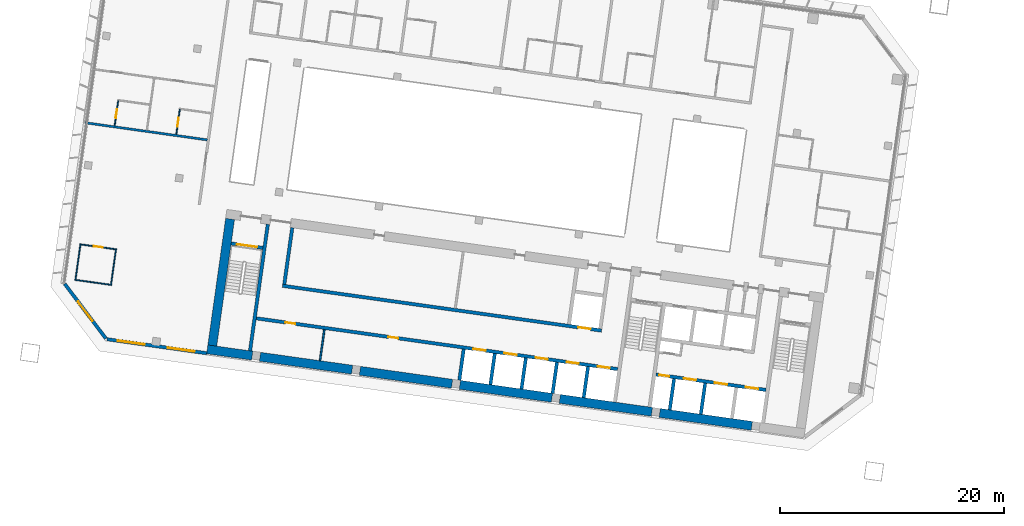
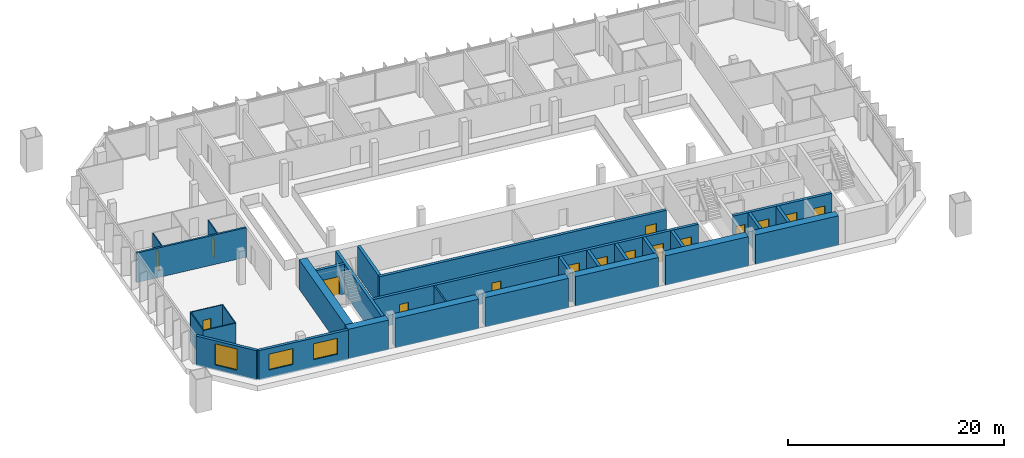
# One storey, part 14 of 24: 30 walls, 16 doors, 3 windows, 19 openings.
"""IFC4 building model written with IfcOpenShell, lengths in metres."""

from ifc_helpers import new_model, si_unit, direction, frame, frame_2d, origin, place, context, subcontext, project, spatial, rectangle, extrude, material, layer, layer_set, type_object, element, fill, save


model = new_model("IFC4")

# Units and contexts
model_context = context("Model", 3, precision=1e-05, world=origin(), true_north=direction((0.0, 1.0)))
body_context = subcontext(model_context, "Body", "Model", "MODEL_VIEW")
ifc_project = project(units=[si_unit("LENGTHUNIT", "METRE"), si_unit("AREAUNIT", "SQUARE_METRE"), si_unit("VOLUMEUNIT", "CUBIC_METRE"), si_unit("PLANEANGLEUNIT", "RADIAN"), si_unit("MASSUNIT", "GRAM", prefix="KILO")], contexts=[model_context])

# Site, building, storey
site_placement = place(None, origin())
site = spatial("IfcSite", under=ifc_project, at=site_placement, CompositionType="ELEMENT")
building_placement = place(site_placement, origin())
building = spatial("IfcBuilding", under=site, at=building_placement, Name="Mirante Cascada Hotel Towers", CompositionType="ELEMENT")
storey_placement = place(building_placement, frame((0.0, 0.0, 132.9)))
storey = spatial("IfcBuildingStorey", under=building, at=storey_placement, Name="L30", CompositionType="ELEMENT", Elevation=132.9)

# Walls
ifc_material_1 = material(Name="Fire-rated plasterboard on metal studs")
ifc_layer_1 = layer(ifc_material_1, 0.2)
ifc_layer_set_1 = layer_set([ifc_layer_1], Name="Compartment wall 200 EI 120")
wall_type_1 = type_object("IfcWallType", Name="Compartment wall 200 EI 120", PredefinedType="PARTITIONING", material=ifc_layer_set_1)
wall_1_placement = place(storey_placement, frame((-90.4064, 6.4896, 0.0), z_axis=(0.0, 0.0, 1.0), x_axis=(-0.990268, 0.1391733, 0.0)))
element("IfcWall", 1, at=wall_1_placement, inside=storey, type_object=wall_type_1, Name="Wall 1-L30-05", PredefinedType="PARTITIONING", context=body_context, shape_type="SweptSolid", body=[
    extrude(rectangle(XDim=11.0, YDim=0.2, at=frame_2d((5.5, 0.0))), origin(), (0.0, 0.0, 1.0), 3.35),
])
ifc_material_2 = material(Name="Masonry block", Category="masonry")
ifc_layer_2 = layer(ifc_material_2, 0.15)
ifc_layer_set_2 = layer_set([ifc_layer_2], Name="Core room partition 150 block EI 30")
wall_type_2 = type_object("IfcWallType", Name="Core room partition 150 block EI 30", PredefinedType="PARTITIONING", material=ifc_layer_set_2)
wall_2_placement = place(storey_placement, frame((-80.349, -13.2018, 0.0), z_axis=(0.0, 0.0, 1.0), x_axis=(0.139176, 0.9902677, 0.0)))
element("IfcWall", 2, at=wall_2_placement, inside=storey, type_object=wall_type_2, Name="Core wall partition T1 L30 5", PredefinedType="PARTITIONING", context=body_context, shape_type="SweptSolid", body=[
    extrude(rectangle(XDim=2.8001, YDim=0.15, at=frame_2d((1.4, 0.0))), origin(), (0.0, 0.0, 1.0), 3.35),
])
ifc_material_3 = material(Name="Plasterboard on metal studs")
ifc_layer_3 = layer(ifc_material_3, 0.1)
ifc_layer_set_3 = layer_set([ifc_layer_3], Name="Partition 100")
wall_type_3 = type_object("IfcWallType", Name="Partition 100", PredefinedType="PARTITIONING", material=ifc_layer_set_3)
wall_3_placement = place(storey_placement, frame((-98.9401, -6.4487, 0.0), z_axis=(0.0, 0.0, 1.0), x_axis=(-0.9902664, 0.1391852, 0.0)))
element("IfcWall", 3, at=wall_3_placement, inside=storey, type_object=wall_type_3, Name="Wall 1-L30-01", PredefinedType="PARTITIONING", context=body_context, shape_type="SweptSolid", body=[
    extrude(rectangle(XDim=3.2999, YDim=0.1, at=frame_2d((1.65, 0.0))), origin(), (0.0, 0.0, 1.0), 3.35),
])

# Wall, opening, door
wall_4_placement = place(storey_placement, frame((-101.7626, -2.8206, 0.0), z_axis=(0.0, 0.0, 1.0), x_axis=(0.9902711, -0.1391513, 0.0)))
wall_4 = element("IfcWall", 4, at=wall_4_placement, inside=storey, type_object=wall_type_3, Name="Wall 1-L30-02", PredefinedType="PARTITIONING", context=body_context, shape_type="SweptSolid", body=[
    extrude(rectangle(XDim=3.3, YDim=0.1, at=frame_2d((1.65, 0.0))), origin(), (0.0, 0.0, 1.0), 3.35),
])
opening_1_placement = place(wall_4_placement, frame((1.25, 0.0, 0.0)))
opening_1 = element("IfcOpeningElement", 5, at=opening_1_placement, cuts=wall_4, Name="Opening D1-L30-01", PredefinedType="OPENING", context=body_context, shape_type="SweptSolid", body=[
    extrude(rectangle(XDim=0.8, YDim=2.1, at=frame_2d((0.4, 1.05))), frame((0.0, 0.05, 0.0), z_axis=(0.0, -1.0, 0.0), x_axis=(1.0, 0.0, 0.0)), (0.0, 0.0, 1.0), 0.1),
])
ifc_material_4 = material(Name="Timber door leaf", Category="wood")
door_type_1 = type_object("IfcDoorType", Name="Bathroom door DG4 800x2100", OperationType="SINGLE_SWING_LEFT", PredefinedType="DOOR", material=ifc_material_4)
door_1_placement = place(opening_1_placement, origin())
door_1 = element("IfcDoor", 6, at=door_1_placement, inside=storey, type_object=door_type_1, Name="Door D1-L30-01", OperationType="SINGLE_SWING_LEFT", OverallHeight=2.1, OverallWidth=0.8, PredefinedType="DOOR", context=body_context, shape_type="SweptSolid", body=[
    extrude(rectangle(XDim=0.8, YDim=2.1, at=frame_2d((0.4, 1.05))), frame((0.0, 0.025, 0.0), z_axis=(0.0, -1.0, 0.0), x_axis=(1.0, 0.0, 0.0)), (0.0, 0.0, 1.0), 0.05),
])
fill(opening_1, door_1)

wall_5_placement = place(storey_placement, frame((-93.1652, 6.9783, 0.0), z_axis=(0.0, 0.0, 1.0), x_axis=(0.1391997, 0.9902643, 0.0)))
wall_5 = element("IfcWall", 7, at=wall_5_placement, inside=storey, type_object=wall_type_3, Name="Wall 1-L30-47", PredefinedType="PARTITIONING", context=body_context, shape_type="SweptSolid", body=[
    extrude(rectangle(XDim=2.25, YDim=0.1, at=frame_2d((1.125, 0.0))), origin(), (0.0, 0.0, 1.0), 3.35),
])
opening_2_placement = place(wall_5_placement, frame((0.7, 0.0, 0.0)))
opening_2 = element("IfcOpeningElement", 8, at=opening_2_placement, cuts=wall_5, Name="Opening D1-L30-29", PredefinedType="OPENING", context=body_context, shape_type="SweptSolid", body=[
    extrude(rectangle(XDim=0.8, YDim=2.1, at=frame_2d((0.4, 1.05))), frame((0.0, 0.05, 0.0), z_axis=(0.0, -1.0, 0.0), x_axis=(1.0, 0.0, 0.0)), (0.0, 0.0, 1.0), 0.1),
])
door_2_placement = place(opening_2_placement, frame((0.8, 0.0, 0.0), z_axis=(0.0, 0.0, 1.0), x_axis=(-1.0, 0.0, 0.0)))
door_2 = element("IfcDoor", 9, at=door_2_placement, inside=storey, type_object=door_type_1, Name="Door D1-L30-29", OperationType="SINGLE_SWING_RIGHT", OverallHeight=2.1, OverallWidth=0.8, PredefinedType="DOOR", context=body_context, shape_type="SweptSolid", body=[
    extrude(rectangle(XDim=0.8, YDim=2.1, at=frame_2d((0.4, 1.05))), frame((0.0, 0.025, 0.0), z_axis=(0.0, -1.0, 0.0), x_axis=(1.0, 0.0, 0.0)), (0.0, 0.0, 1.0), 0.05),
])
fill(opening_2, door_2)

# Wall
wall_6_placement = place(storey_placement, frame((-98.5512, -3.3224, 0.0), z_axis=(0.0, 0.0, 1.0), x_axis=(-0.1391629, -0.9902695, 0.0)))
element("IfcWall", 10, at=wall_6_placement, inside=storey, type_object=wall_type_3, Name="Wall 1-L30-50", PredefinedType="PARTITIONING", context=body_context, shape_type="SweptSolid", body=[
    extrude(rectangle(XDim=3.1, YDim=0.1, at=frame_2d((1.55, 0.0))), origin(), (0.0, 0.0, 1.0), 3.35),
])

# Wall, opening, door
wall_7_placement = place(storey_placement, frame((-98.6612, 7.7507, 0.0), z_axis=(0.0, 0.0, 1.0), x_axis=(0.1391997, 0.9902643, 0.0)))
wall_7 = element("IfcWall", 11, at=wall_7_placement, inside=storey, type_object=wall_type_3, Name="Wall 1-L30-51", PredefinedType="PARTITIONING", context=body_context, shape_type="SweptSolid", body=[
    extrude(rectangle(XDim=2.25, YDim=0.1, at=frame_2d((1.125, 0.0))), origin(), (0.0, 0.0, 1.0), 3.35),
])
opening_3_placement = place(wall_7_placement, frame((0.7, 0.0, 0.0)))
opening_3 = element("IfcOpeningElement", 12, at=opening_3_placement, cuts=wall_7, Name="Opening D1-L30-31", PredefinedType="OPENING", context=body_context, shape_type="SweptSolid", body=[
    extrude(rectangle(XDim=0.8, YDim=2.1, at=frame_2d((0.4, 1.05))), frame((0.0, 0.05, 0.0), z_axis=(0.0, -1.0, 0.0), x_axis=(1.0, 0.0, 0.0)), (0.0, 0.0, 1.0), 0.1),
])
door_3_placement = place(opening_3_placement, frame((0.8, 0.0, 0.0), z_axis=(0.0, 0.0, 1.0), x_axis=(-1.0, 0.0, 0.0)))
door_3 = element("IfcDoor", 13, at=door_3_placement, inside=storey, type_object=door_type_1, Name="Door D1-L30-31", OperationType="SINGLE_SWING_RIGHT", OverallHeight=2.1, OverallWidth=0.8, PredefinedType="DOOR", context=body_context, shape_type="SweptSolid", body=[
    extrude(rectangle(XDim=0.8, YDim=2.1, at=frame_2d((0.4, 1.05))), frame((0.0, 0.025, 0.0), z_axis=(0.0, -1.0, 0.0), x_axis=(1.0, 0.0, 0.0)), (0.0, 0.0, 1.0), 0.05),
])
fill(opening_3, door_3)

# Wall
wall_8_placement = place(storey_placement, frame((-101.72, -2.877, 0.0), z_axis=(0.0, 0.0, 1.0), x_axis=(-0.1391901, -0.9902657, 0.0)))
element("IfcWall", 14, at=wall_8_placement, inside=storey, type_object=wall_type_3, Name="Wall 1-L30-52", PredefinedType="PARTITIONING", context=body_context, shape_type="SweptSolid", body=[
    extrude(rectangle(XDim=3.1001, YDim=0.1, at=frame_2d((1.55, 0.0))), origin(), (0.0, 0.0, 1.0), 3.35),
])

# Wall, openings, windows
ifc_material_5 = material(Name="Precast concrete C40/50", Category="concrete")
ifc_layer_4 = layer(ifc_material_5, 0.3)
ifc_layer_set_4 = layer_set([ifc_layer_4], Name="Precast concrete C40/50 cladding wall 300")
wall_type_4 = type_object("IfcWallType", Name="Precast concrete C40/50 cladding wall 300", PredefinedType="STANDARD", material=ifc_layer_set_4)
wall_9_placement = place(storey_placement, frame((-90.4551, -12.5388, 0.0), z_axis=(0.0, 0.0, 1.0), x_axis=(-0.9902678, 0.1391749, 0.0)))
wall_9 = element("IfcWall", 15, at=wall_9_placement, inside=storey, type_object=wall_type_4, Name="Rear cladding wall T1 L30 1", PredefinedType="STANDARD", context=body_context, shape_type="SweptSolid", body=[
    extrude(rectangle(XDim=8.9758, YDim=0.3, at=frame_2d((4.4879, 0.0))), origin(), (0.0, 0.0, 1.0), 3.35),
])
opening_4_placement = place(wall_9_placement, frame((1.1012, 0.0, 0.9)))
opening_4 = element("IfcOpeningElement", 16, at=opening_4_placement, cuts=wall_9, Name="Opening W1-30-01", PredefinedType="OPENING", context=body_context, shape_type="SweptSolid", body=[
    extrude(rectangle(XDim=2.4, YDim=1.8, at=frame_2d((1.2, 0.9))), frame((0.0, 0.15, 0.0), z_axis=(0.0, -1.0, 0.0), x_axis=(1.0, 0.0, 0.0)), (0.0, 0.0, 1.0), 0.3),
])
opening_5_placement = place(wall_9_placement, frame((5.5923, 0.0, 0.9)))
opening_5 = element("IfcOpeningElement", 17, at=opening_5_placement, cuts=wall_9, Name="Opening W1-30-02", PredefinedType="OPENING", context=body_context, shape_type="SweptSolid", body=[
    extrude(rectangle(XDim=2.4, YDim=1.8, at=frame_2d((1.2, 0.9))), frame((0.0, 0.15, 0.0), z_axis=(0.0, -1.0, 0.0), x_axis=(1.0, 0.0, 0.0)), (0.0, 0.0, 1.0), 0.3),
])
ifc_material_6 = material(Name="Aluminium frame with clear double glazing", Category="aluminium")
window_type_1 = type_object("IfcWindowType", Name="Punched window 2400x1800", PartitioningType="DOUBLE_PANEL_VERTICAL", PredefinedType="WINDOW", material=ifc_material_6)
window_1_placement = place(opening_4_placement, origin())
window_1 = element("IfcWindow", 18, at=window_1_placement, inside=storey, type_object=window_type_1, Name="Window W1-30-01", OverallHeight=1.8, OverallWidth=2.4, PartitioningType="SINGLE_PANEL", PredefinedType="WINDOW", context=body_context, shape_type="SweptSolid", body=[
    extrude(rectangle(XDim=2.4, YDim=1.8, at=frame_2d((1.2, 0.9))), frame((0.0, 0.03, 0.0), z_axis=(0.0, -1.0, 0.0), x_axis=(1.0, 0.0, 0.0)), (0.0, 0.0, 1.0), 0.06),
])
fill(opening_4, window_1)
window_2_placement = place(opening_5_placement, origin())
window_2 = element("IfcWindow", 19, at=window_2_placement, inside=storey, type_object=window_type_1, Name="Window W1-30-02", OverallHeight=1.8, OverallWidth=2.4, PartitioningType="SINGLE_PANEL", PredefinedType="WINDOW", context=body_context, shape_type="SweptSolid", body=[
    extrude(rectangle(XDim=2.4, YDim=1.8, at=frame_2d((1.2, 0.9))), frame((0.0, 0.03, 0.0), z_axis=(0.0, -1.0, 0.0), x_axis=(1.0, 0.0, 0.0)), (0.0, 0.0, 1.0), 0.06),
])
fill(opening_5, window_2)

# Wall, opening, window
wall_10_placement = place(storey_placement, frame((-99.4424, -11.2313, 0.0), z_axis=(0.0, 0.0, 1.0), x_axis=(-0.6018194, 0.7986322, 0.0)))
wall_10 = element("IfcWall", 20, at=wall_10_placement, inside=storey, type_object=wall_type_4, Name="Corner cladding wall T1 L30 rear outer", PredefinedType="STANDARD", context=body_context, shape_type="SweptSolid", body=[
    extrude(rectangle(XDim=6.1155, YDim=0.3, at=frame_2d((3.0578, 0.0))), origin(), (0.0, 0.0, 1.0), 3.35),
])
opening_6_placement = place(wall_10_placement, frame((1.9576, 0.0, 0.6)))
opening_6 = element("IfcOpeningElement", 21, at=opening_6_placement, cuts=wall_10, Name="Opening W1-30-03", PredefinedType="OPENING", context=body_context, shape_type="SweptSolid", body=[
    extrude(rectangle(XDim=2.2, YDim=2.4, at=frame_2d((1.1, 1.2))), frame((0.0, 0.15, 0.0), z_axis=(0.0, -1.0, 0.0), x_axis=(1.0, 0.0, 0.0)), (0.0, 0.0, 1.0), 0.3),
])
ifc_material_7 = material(Name="Aluminium frame with clear double glazing", Category="aluminium")
window_type_2 = type_object("IfcWindowType", Name="Corner suite window 2200x2400", PartitioningType="DOUBLE_PANEL_VERTICAL", PredefinedType="WINDOW", material=ifc_material_7)
window_3_placement = place(opening_6_placement, origin())
window_3 = element("IfcWindow", 22, at=window_3_placement, inside=storey, type_object=window_type_2, Name="Window W1-30-03", OverallHeight=2.4, OverallWidth=2.2, PartitioningType="SINGLE_PANEL", PredefinedType="WINDOW", context=body_context, shape_type="SweptSolid", body=[
    extrude(rectangle(XDim=2.2, YDim=2.4, at=frame_2d((1.1, 1.2))), frame((0.0, 0.03, 0.0), z_axis=(0.0, -1.0, 0.0), x_axis=(1.0, 0.0, 0.0)), (0.0, 0.0, 1.0), 0.06),
])
fill(opening_6, window_3)

# Wall
ifc_material_8 = material(Name="Concrete C50/60", Category="concrete")
ifc_layer_5 = layer(ifc_material_8, 0.3)
ifc_layer_set_5 = layer_set([ifc_layer_5], Name="RC core wall 300 C50/60")
wall_type_5 = type_object("IfcWallType", Name="RC core wall 300 C50/60", PredefinedType="SHEAR", material=ifc_layer_set_5)
wall_11_placement = place(storey_placement, frame((-86.5877, -12.325, 0.0), z_axis=(0.0, 0.0, 1.0), x_axis=(0.1391749, 0.9902678, 0.0)))
element("IfcWall", 23, at=wall_11_placement, inside=storey, type_object=wall_type_5, Name="Core wall T1:L30:8", PredefinedType="SHEAR", context=body_context, shape_type="SweptSolid", body=[
    extrude(rectangle(XDim=11.4, YDim=0.3, at=frame_2d((5.7, 0.0))), origin(), (0.0, 0.0, 1.0), 3.35),
])

# Wall, opening, door
wall_12_placement = place(storey_placement, frame((-85.4489, -3.1441, 0.0), z_axis=(0.0, 0.0, 1.0), x_axis=(-0.9902697, 0.1391613, 0.0)))
wall_12 = element("IfcWall", 24, at=wall_12_placement, inside=storey, type_object=wall_type_5, Name="Core wall T1:L30:11", PredefinedType="SHEAR", context=body_context, shape_type="SweptSolid", body=[
    extrude(rectangle(XDim=2.8499, YDim=0.3, at=frame_2d((1.425, 0.0))), origin(), (0.0, 0.0, 1.0), 3.35),
])
opening_7_placement = place(wall_12_placement, frame((0.525, 0.0, 0.0)))
opening_7 = element("IfcOpeningElement", 25, at=opening_7_placement, cuts=wall_12, Name="Opening D1-30-C17", PredefinedType="OPENING", context=body_context, shape_type="SweptSolid", body=[
    extrude(rectangle(XDim=1.8, YDim=2.1, at=frame_2d((0.9, 1.05))), frame((0.0, 0.15, 0.0), z_axis=(0.0, -1.0, 0.0), x_axis=(1.0, 0.0, 0.0)), (0.0, 0.0, 1.0), 0.3),
])
ifc_material_9 = material(Name="Hollow metal fire door leaf")
door_type_2 = type_object("IfcDoorType", Name="Double fire door 1800x2100 FD60", OperationType="DOUBLE_DOOR_SINGLE_SWING", PredefinedType="DOOR", material=ifc_material_9)
door_4_placement = place(opening_7_placement, origin())
door_4 = element("IfcDoor", 26, at=door_4_placement, inside=storey, type_object=door_type_2, Name="Stair door T1 L30 17", OperationType="DOUBLE_DOOR_SINGLE_SWING", OverallHeight=2.1, OverallWidth=1.8, PredefinedType="DOOR", context=body_context, shape_type="SweptSolid", body=[
    extrude(rectangle(XDim=0.895, YDim=2.1, at=frame_2d((0.4475, 1.05))), frame((0.0, 0.025, 0.0), z_axis=(0.0, -1.0, 0.0), x_axis=(1.0, 0.0, 0.0)), (0.0, 0.0, 1.0), 0.05),
    extrude(rectangle(XDim=0.895, YDim=2.1, at=frame_2d((1.3525, 1.05))), frame((0.0, 0.025, 0.0), z_axis=(0.0, -1.0, 0.0), x_axis=(1.0, 0.0, 0.0)), (0.0, 0.0, 1.0), 0.05),
])
fill(opening_7, door_4)

# Wall, openings, doors
wall_13_placement = place(storey_placement, frame((-40.5753, -15.8126, 0.0), z_axis=(0.0, 0.0, 1.0), x_axis=(-0.9902682, 0.1391725, 0.0)))
wall_13 = element("IfcWall", 27, at=wall_13_placement, inside=storey, type_object=wall_type_5, Name="Core wall T1:L30:12", PredefinedType="SHEAR", context=body_context, shape_type="SweptSolid", body=[
    extrude(rectangle(XDim=9.8999, YDim=0.3, at=frame_2d((4.95, 0.0))), origin(), (0.0, 0.0, 1.0), 3.35),
])
opening_8_placement = place(wall_13_placement, frame((0.7, 0.0, 0.0)))
opening_8 = element("IfcOpeningElement", 28, at=opening_8_placement, cuts=wall_13, Name="Opening LD", PredefinedType="OPENING", context=body_context, shape_type="SweptSolid", body=[
    extrude(rectangle(XDim=1.1, YDim=2.1, at=frame_2d((0.55, 1.05))), frame((0.0, 0.15, 0.0), z_axis=(0.0, -1.0, 0.0), x_axis=(1.0, 0.0, 0.0)), (0.0, 0.0, 1.0), 0.3),
])
opening_9_placement = place(wall_13_placement, frame((3.5, 0.0, 0.0)))
opening_9 = element("IfcOpeningElement", 29, at=opening_9_placement, cuts=wall_13, Name="Opening LD", PredefinedType="OPENING", context=body_context, shape_type="SweptSolid", body=[
    extrude(rectangle(XDim=1.1, YDim=2.1, at=frame_2d((0.55, 1.05))), frame((0.0, 0.15, 0.0), z_axis=(0.0, -1.0, 0.0), x_axis=(1.0, 0.0, 0.0)), (0.0, 0.0, 1.0), 0.3),
])
opening_10_placement = place(wall_13_placement, frame((6.3, 0.0, 0.0)))
opening_10 = element("IfcOpeningElement", 30, at=opening_10_placement, cuts=wall_13, Name="Opening LD", PredefinedType="OPENING", context=body_context, shape_type="SweptSolid", body=[
    extrude(rectangle(XDim=1.1, YDim=2.1, at=frame_2d((0.55, 1.05))), frame((0.0, 0.15, 0.0), z_axis=(0.0, -1.0, 0.0), x_axis=(1.0, 0.0, 0.0)), (0.0, 0.0, 1.0), 0.3),
])
opening_11_placement = place(wall_13_placement, frame((8.7, 0.0, 0.0)))
opening_11 = element("IfcOpeningElement", 31, at=opening_11_placement, cuts=wall_13, Name="Opening D1-30-C22", PredefinedType="OPENING", context=body_context, shape_type="SweptSolid", body=[
    extrude(rectangle(XDim=0.9, YDim=2.1, at=frame_2d((0.45, 1.05))), frame((0.0, 0.15, 0.0), z_axis=(0.0, -1.0, 0.0), x_axis=(1.0, 0.0, 0.0)), (0.0, 0.0, 1.0), 0.3),
])
ifc_material_10 = material(Name="Hollow metal fire door leaf")
door_type_3 = type_object("IfcDoorType", Name="Fire door 900x2100 FD60", OperationType="NOTDEFINED", PredefinedType="DOOR", material=ifc_material_10)
door_5_placement = place(opening_11_placement, origin())
door_5 = element("IfcDoor", 32, at=door_5_placement, inside=storey, type_object=door_type_3, Name="Riser door T1 L30 22", OperationType="SINGLE_SWING_LEFT", OverallHeight=2.1, OverallWidth=0.9, PredefinedType="DOOR", context=body_context, shape_type="SweptSolid", body=[
    extrude(rectangle(XDim=0.9, YDim=2.1, at=frame_2d((0.45, 1.05))), frame((0.0, 0.025, 0.0), z_axis=(0.0, -1.0, 0.0), x_axis=(1.0, 0.0, 0.0)), (0.0, 0.0, 1.0), 0.05),
])
fill(opening_11, door_5)
ifc_material_11 = material(Name="Stainless steel", Category="steel")
door_type_4 = type_object("IfcDoorType", Name="Lift landing door 1100x2100 EI 120", OperationType="DOUBLE_DOOR_SLIDING", PredefinedType="DOOR", material=ifc_material_11)
door_6_placement = place(opening_8_placement, origin())
door_6 = element("IfcDoor", 33, at=door_6_placement, inside=storey, type_object=door_type_4, Name="Lift landing door HR1-1 L30", OperationType="DOUBLE_DOOR_SLIDING", OverallHeight=2.1, OverallWidth=1.1, PredefinedType="DOOR", context=body_context, shape_type="SweptSolid", body=[
    extrude(rectangle(XDim=0.545, YDim=2.1, at=frame_2d((0.2725, 1.05))), frame((0.0, 0.025, 0.0), z_axis=(0.0, -1.0, 0.0), x_axis=(1.0, 0.0, 0.0)), (0.0, 0.0, 1.0), 0.05),
    extrude(rectangle(XDim=0.545, YDim=2.1, at=frame_2d((0.8275, 1.05))), frame((0.0, 0.025, 0.0), z_axis=(0.0, -1.0, 0.0), x_axis=(1.0, 0.0, 0.0)), (0.0, 0.0, 1.0), 0.05),
])
fill(opening_8, door_6)
door_7_placement = place(opening_9_placement, origin())
door_7 = element("IfcDoor", 34, at=door_7_placement, inside=storey, type_object=door_type_4, Name="Lift landing door HR1-2 L30", OperationType="DOUBLE_DOOR_SLIDING", OverallHeight=2.1, OverallWidth=1.1, PredefinedType="DOOR", context=body_context, shape_type="SweptSolid", body=[
    extrude(rectangle(XDim=0.545, YDim=2.1, at=frame_2d((0.2725, 1.05))), frame((0.0, 0.025, 0.0), z_axis=(0.0, -1.0, 0.0), x_axis=(1.0, 0.0, 0.0)), (0.0, 0.0, 1.0), 0.05),
    extrude(rectangle(XDim=0.545, YDim=2.1, at=frame_2d((0.8275, 1.05))), frame((0.0, 0.025, 0.0), z_axis=(0.0, -1.0, 0.0), x_axis=(1.0, 0.0, 0.0)), (0.0, 0.0, 1.0), 0.05),
])
fill(opening_9, door_7)
door_8_placement = place(opening_10_placement, origin())
door_8 = element("IfcDoor", 35, at=door_8_placement, inside=storey, type_object=door_type_4, Name="Lift landing door HR1-3 L30", OperationType="DOUBLE_DOOR_SLIDING", OverallHeight=2.1, OverallWidth=1.1, PredefinedType="DOOR", context=body_context, shape_type="SweptSolid", body=[
    extrude(rectangle(XDim=0.545, YDim=2.1, at=frame_2d((0.2725, 1.05))), frame((0.0, 0.025, 0.0), z_axis=(0.0, -1.0, 0.0), x_axis=(1.0, 0.0, 0.0)), (0.0, 0.0, 1.0), 0.05),
    extrude(rectangle(XDim=0.545, YDim=2.1, at=frame_2d((0.8275, 1.05))), frame((0.0, 0.025, 0.0), z_axis=(0.0, -1.0, 0.0), x_axis=(1.0, 0.0, 0.0)), (0.0, 0.0, 1.0), 0.05),
])
fill(opening_10, door_8)

# Walls
wall_14_placement = place(storey_placement, frame((-46.3828, -17.9754, 0.0), z_axis=(0.0, 0.0, 1.0), x_axis=(0.139181, 0.990267, 0.0)))
element("IfcWall", 36, at=wall_14_placement, inside=storey, type_object=wall_type_5, Name="Core wall T1:L30:16", PredefinedType="SHEAR", context=body_context, shape_type="SweptSolid", body=[
    extrude(rectangle(XDim=2.8, YDim=0.3, at=frame_2d((1.4, 0.0))), origin(), (0.0, 0.0, 1.0), 3.35),
])
wall_15_placement = place(storey_placement, frame((-49.1555, -17.5857, 0.0), z_axis=(0.0, 0.0, 1.0), x_axis=(0.1391459, 0.9902719, 0.0)))
element("IfcWall", 37, at=wall_15_placement, inside=storey, type_object=wall_type_5, Name="Core wall T1:L30:17", PredefinedType="SHEAR", context=body_context, shape_type="SweptSolid", body=[
    extrude(rectangle(XDim=2.7999, YDim=0.3, at=frame_2d((1.4, 0.0))), origin(), (0.0, 0.0, 1.0), 3.35),
])

# Wall, openings, doors
wall_16_placement = place(storey_placement, frame((-53.7953, -13.9547, 0.0), z_axis=(0.0, 0.0, 1.0), x_axis=(-0.990268, 0.1391733, 0.0)))
wall_16 = element("IfcWall", 38, at=wall_16_placement, inside=storey, type_object=wall_type_5, Name="Core wall T1:L30:25", PredefinedType="SHEAR", context=body_context, shape_type="SweptSolid", body=[
    extrude(rectangle(XDim=32.5501, YDim=0.3, at=frame_2d((16.275, 0.0))), origin(), (0.0, 0.0, 1.0), 3.35),
])
opening_12_placement = place(wall_16_placement, frame((0.7, 0.0, 0.0)))
opening_12 = element("IfcOpeningElement", 39, at=opening_12_placement, cuts=wall_16, Name="Opening LD", PredefinedType="OPENING", context=body_context, shape_type="SweptSolid", body=[
    extrude(rectangle(XDim=1.1, YDim=2.1, at=frame_2d((0.55, 1.05))), frame((0.0, 0.15, 0.0), z_axis=(0.0, -1.0, 0.0), x_axis=(1.0, 0.0, 0.0)), (0.0, 0.0, 1.0), 0.3),
])
opening_13_placement = place(wall_16_placement, frame((3.5, 0.0, 0.0)))
opening_13 = element("IfcOpeningElement", 40, at=opening_13_placement, cuts=wall_16, Name="Opening LD", PredefinedType="OPENING", context=body_context, shape_type="SweptSolid", body=[
    extrude(rectangle(XDim=1.1, YDim=2.1, at=frame_2d((0.55, 1.05))), frame((0.0, 0.15, 0.0), z_axis=(0.0, -1.0, 0.0), x_axis=(1.0, 0.0, 0.0)), (0.0, 0.0, 1.0), 0.3),
])
opening_14_placement = place(wall_16_placement, frame((6.3, 0.0, 0.0)))
opening_14 = element("IfcOpeningElement", 41, at=opening_14_placement, cuts=wall_16, Name="Opening LD", PredefinedType="OPENING", context=body_context, shape_type="SweptSolid", body=[
    extrude(rectangle(XDim=1.1, YDim=2.1, at=frame_2d((0.55, 1.05))), frame((0.0, 0.15, 0.0), z_axis=(0.0, -1.0, 0.0), x_axis=(1.0, 0.0, 0.0)), (0.0, 0.0, 1.0), 0.3),
])
opening_15_placement = place(wall_16_placement, frame((9.1, 0.0, 0.0)))
opening_15 = element("IfcOpeningElement", 42, at=opening_15_placement, cuts=wall_16, Name="Opening LD", PredefinedType="OPENING", context=body_context, shape_type="SweptSolid", body=[
    extrude(rectangle(XDim=1.1, YDim=2.1, at=frame_2d((0.55, 1.05))), frame((0.0, 0.15, 0.0), z_axis=(0.0, -1.0, 0.0), x_axis=(1.0, 0.0, 0.0)), (0.0, 0.0, 1.0), 0.3),
])
opening_16_placement = place(wall_16_placement, frame((11.9, 0.0, 0.0)))
opening_16 = element("IfcOpeningElement", 43, at=opening_16_placement, cuts=wall_16, Name="Opening LD", PredefinedType="OPENING", context=body_context, shape_type="SweptSolid", body=[
    extrude(rectangle(XDim=1.1, YDim=2.1, at=frame_2d((0.55, 1.05))), frame((0.0, 0.15, 0.0), z_axis=(0.0, -1.0, 0.0), x_axis=(1.0, 0.0, 0.0)), (0.0, 0.0, 1.0), 0.3),
])
opening_17_placement = place(wall_16_placement, frame((19.75, 0.0, 0.0)))
opening_17 = element("IfcOpeningElement", 44, at=opening_17_placement, cuts=wall_16, Name="Opening D1-30-C26", PredefinedType="OPENING", context=body_context, shape_type="SweptSolid", body=[
    extrude(rectangle(XDim=0.9, YDim=2.1, at=frame_2d((0.45, 1.05))), frame((0.0, 0.15, 0.0), z_axis=(0.0, -1.0, 0.0), x_axis=(1.0, 0.0, 0.0)), (0.0, 0.0, 1.0), 0.3),
])
opening_18_placement = place(wall_16_placement, frame((29.025, 0.0, 0.0)))
opening_18 = element("IfcOpeningElement", 45, at=opening_18_placement, cuts=wall_16, Name="Opening D1-30-C27", PredefinedType="OPENING", context=body_context, shape_type="SweptSolid", body=[
    extrude(rectangle(XDim=0.9, YDim=2.1, at=frame_2d((0.45, 1.05))), frame((0.0, 0.15, 0.0), z_axis=(0.0, -1.0, 0.0), x_axis=(1.0, 0.0, 0.0)), (0.0, 0.0, 1.0), 0.3),
])
door_9_placement = place(opening_17_placement, origin())
door_9 = element("IfcDoor", 46, at=door_9_placement, inside=storey, type_object=door_type_3, Name="Room door T1 L30 26", OperationType="SINGLE_SWING_LEFT", OverallHeight=2.1, OverallWidth=0.9, PredefinedType="DOOR", context=body_context, shape_type="SweptSolid", body=[
    extrude(rectangle(XDim=0.9, YDim=2.1, at=frame_2d((0.45, 1.05))), frame((0.0, 0.025, 0.0), z_axis=(0.0, -1.0, 0.0), x_axis=(1.0, 0.0, 0.0)), (0.0, 0.0, 1.0), 0.05),
])
fill(opening_17, door_9)
door_10_placement = place(opening_18_placement, origin())
door_10 = element("IfcDoor", 47, at=door_10_placement, inside=storey, type_object=door_type_3, Name="Room door T1 L30 27", OperationType="SINGLE_SWING_LEFT", OverallHeight=2.1, OverallWidth=0.9, PredefinedType="DOOR", context=body_context, shape_type="SweptSolid", body=[
    extrude(rectangle(XDim=0.9, YDim=2.1, at=frame_2d((0.45, 1.05))), frame((0.0, 0.025, 0.0), z_axis=(0.0, -1.0, 0.0), x_axis=(1.0, 0.0, 0.0)), (0.0, 0.0, 1.0), 0.05),
])
fill(opening_18, door_10)
door_11_placement = place(opening_12_placement, origin())
door_11 = element("IfcDoor", 48, at=door_11_placement, inside=storey, type_object=door_type_4, Name="Lift landing door LR1-1 L30", OperationType="DOUBLE_DOOR_SLIDING", OverallHeight=2.1, OverallWidth=1.1, PredefinedType="DOOR", context=body_context, shape_type="SweptSolid", body=[
    extrude(rectangle(XDim=0.545, YDim=2.1, at=frame_2d((0.2725, 1.05))), frame((0.0, 0.025, 0.0), z_axis=(0.0, -1.0, 0.0), x_axis=(1.0, 0.0, 0.0)), (0.0, 0.0, 1.0), 0.05),
    extrude(rectangle(XDim=0.545, YDim=2.1, at=frame_2d((0.8275, 1.05))), frame((0.0, 0.025, 0.0), z_axis=(0.0, -1.0, 0.0), x_axis=(1.0, 0.0, 0.0)), (0.0, 0.0, 1.0), 0.05),
])
fill(opening_12, door_11)
door_12_placement = place(opening_13_placement, origin())
door_12 = element("IfcDoor", 49, at=door_12_placement, inside=storey, type_object=door_type_4, Name="Lift landing door LR1-2 L30", OperationType="DOUBLE_DOOR_SLIDING", OverallHeight=2.1, OverallWidth=1.1, PredefinedType="DOOR", context=body_context, shape_type="SweptSolid", body=[
    extrude(rectangle(XDim=0.545, YDim=2.1, at=frame_2d((0.2725, 1.05))), frame((0.0, 0.025, 0.0), z_axis=(0.0, -1.0, 0.0), x_axis=(1.0, 0.0, 0.0)), (0.0, 0.0, 1.0), 0.05),
    extrude(rectangle(XDim=0.545, YDim=2.1, at=frame_2d((0.8275, 1.05))), frame((0.0, 0.025, 0.0), z_axis=(0.0, -1.0, 0.0), x_axis=(1.0, 0.0, 0.0)), (0.0, 0.0, 1.0), 0.05),
])
fill(opening_13, door_12)
door_13_placement = place(opening_14_placement, origin())
door_13 = element("IfcDoor", 50, at=door_13_placement, inside=storey, type_object=door_type_4, Name="Lift landing door SV1-1 L30", OperationType="DOUBLE_DOOR_SLIDING", OverallHeight=2.1, OverallWidth=1.1, PredefinedType="DOOR", context=body_context, shape_type="SweptSolid", body=[
    extrude(rectangle(XDim=0.545, YDim=2.1, at=frame_2d((0.2725, 1.05))), frame((0.0, 0.025, 0.0), z_axis=(0.0, -1.0, 0.0), x_axis=(1.0, 0.0, 0.0)), (0.0, 0.0, 1.0), 0.05),
    extrude(rectangle(XDim=0.545, YDim=2.1, at=frame_2d((0.8275, 1.05))), frame((0.0, 0.025, 0.0), z_axis=(0.0, -1.0, 0.0), x_axis=(1.0, 0.0, 0.0)), (0.0, 0.0, 1.0), 0.05),
])
fill(opening_14, door_13)
door_14_placement = place(opening_15_placement, origin())
door_14 = element("IfcDoor", 51, at=door_14_placement, inside=storey, type_object=door_type_4, Name="Lift landing door SV1-2 L30", OperationType="DOUBLE_DOOR_SLIDING", OverallHeight=2.1, OverallWidth=1.1, PredefinedType="DOOR", context=body_context, shape_type="SweptSolid", body=[
    extrude(rectangle(XDim=0.545, YDim=2.1, at=frame_2d((0.2725, 1.05))), frame((0.0, 0.025, 0.0), z_axis=(0.0, -1.0, 0.0), x_axis=(1.0, 0.0, 0.0)), (0.0, 0.0, 1.0), 0.05),
    extrude(rectangle(XDim=0.545, YDim=2.1, at=frame_2d((0.8275, 1.05))), frame((0.0, 0.025, 0.0), z_axis=(0.0, -1.0, 0.0), x_axis=(1.0, 0.0, 0.0)), (0.0, 0.0, 1.0), 0.05),
])
fill(opening_15, door_14)
door_15_placement = place(opening_16_placement, origin())
door_15 = element("IfcDoor", 52, at=door_15_placement, inside=storey, type_object=door_type_4, Name="Lift landing door SV1-3 L30", OperationType="DOUBLE_DOOR_SLIDING", OverallHeight=2.1, OverallWidth=1.1, PredefinedType="DOOR", context=body_context, shape_type="SweptSolid", body=[
    extrude(rectangle(XDim=0.545, YDim=2.1, at=frame_2d((0.2725, 1.05))), frame((0.0, 0.025, 0.0), z_axis=(0.0, -1.0, 0.0), x_axis=(1.0, 0.0, 0.0)), (0.0, 0.0, 1.0), 0.05),
    extrude(rectangle(XDim=0.545, YDim=2.1, at=frame_2d((0.8275, 1.05))), frame((0.0, 0.025, 0.0), z_axis=(0.0, -1.0, 0.0), x_axis=(1.0, 0.0, 0.0)), (0.0, 0.0, 1.0), 0.05),
])
fill(opening_16, door_15)

# Walls
for number, where, z_axis, x_axis, name in (
    (53, (-56.8301, -16.5072, 0.0), (0.0, 0.0, 1.0), (0.139176, 0.9902677, 0.0), "Core wall T1:L30:26"),
    (54, (-59.6029, -16.1175, 0.0), (0.0, 0.0, 1.0), (0.139176, 0.9902677, 0.0), "Core wall T1:L30:27"),
    (55, (-62.3756, -15.7278, 0.0), (0.0, 0.0, 1.0), (0.139176, 0.9902677, 0.0), "Core wall T1:L30:28"),
    (56, (-65.1484, -15.3381, 0.0), (0.0, 0.0, 1.0), (0.139176, 0.9902677, 0.0), "Core wall T1:L30:29"),
):
    element("IfcWall", number, at=place(storey_placement, frame(where, z_axis=z_axis, x_axis=x_axis)), inside=storey, type_object=wall_type_5, Name=name, PredefinedType="SHEAR", context=body_context, shape_type="SweptSolid", body=[
        extrude(rectangle(XDim=2.8001, YDim=0.3, at=frame_2d((1.4, 0.0))), origin(), (0.0, 0.0, 1.0), 3.35),
    ])
wall_17_placement = place(storey_placement, frame((-67.9211, -14.9484, 0.0), z_axis=(0.0, 0.0, 1.0), x_axis=(0.139181, 0.990267, 0.0)))
element("IfcWall", 57, at=wall_17_placement, inside=storey, type_object=wall_type_5, Name="Core wall T1:L30:30", PredefinedType="SHEAR", context=body_context, shape_type="SweptSolid", body=[
    extrude(rectangle(XDim=2.8, YDim=0.3, at=frame_2d((1.4, 0.0))), origin(), (0.0, 0.0, 1.0), 3.35),
])

# Wall, opening, door
wall_18_placement = place(storey_placement, frame((-55.2315, -10.5214, 0.0), z_axis=(0.0, 0.0, 1.0), x_axis=(-0.9902682, 0.1391722, 0.0)))
wall_18 = element("IfcWall", 58, at=wall_18_placement, inside=storey, type_object=wall_type_5, Name="Core wall T1:L30:32", PredefinedType="SHEAR", context=body_context, shape_type="SweptSolid", body=[
    extrude(rectangle(XDim=28.75, YDim=0.3, at=frame_2d((14.375, 0.0))), origin(), (0.0, 0.0, 1.0), 3.35),
])
opening_19_placement = place(wall_18_placement, frame((1.0, 0.0, 0.0)))
opening_19 = element("IfcOpeningElement", 59, at=opening_19_placement, cuts=wall_18, Name="Opening LD", PredefinedType="OPENING", context=body_context, shape_type="SweptSolid", body=[
    extrude(rectangle(XDim=1.1, YDim=2.1, at=frame_2d((0.55, 1.05))), frame((0.0, 0.15, 0.0), z_axis=(0.0, -1.0, 0.0), x_axis=(1.0, 0.0, 0.0)), (0.0, 0.0, 1.0), 0.3),
])
door_16_placement = place(opening_19_placement, origin())
door_16 = element("IfcDoor", 60, at=door_16_placement, inside=storey, type_object=door_type_4, Name="Lift landing door LR1-3 L30", OperationType="DOUBLE_DOOR_SLIDING", OverallHeight=2.1, OverallWidth=1.1, PredefinedType="DOOR", context=body_context, shape_type="SweptSolid", body=[
    extrude(rectangle(XDim=0.545, YDim=2.1, at=frame_2d((0.2725, 1.05))), frame((0.0, 0.025, 0.0), z_axis=(0.0, -1.0, 0.0), x_axis=(1.0, 0.0, 0.0)), (0.0, 0.0, 1.0), 0.05),
    extrude(rectangle(XDim=0.545, YDim=2.1, at=frame_2d((0.8275, 1.05))), frame((0.0, 0.025, 0.0), z_axis=(0.0, -1.0, 0.0), x_axis=(1.0, 0.0, 0.0)), (0.0, 0.0, 1.0), 0.05),
])
fill(opening_19, door_16)

# Walls
wall_19_placement = place(storey_placement, frame((-83.5323, -6.3925, 0.0), z_axis=(0.0, 0.0, 1.0), x_axis=(0.1391755, 0.9902677, 0.0)))
element("IfcWall", 61, at=wall_19_placement, inside=storey, type_object=wall_type_5, Name="Core wall T1:L30:34", PredefinedType="SHEAR", context=body_context, shape_type="SweptSolid", body=[
    extrude(rectangle(XDim=5.1, YDim=0.3, at=frame_2d((2.55, 0.0))), origin(), (0.0, 0.0, 1.0), 3.35),
])
ifc_material_12 = material(Name="Concrete C50/60", Category="concrete")
ifc_layer_6 = layer(ifc_material_12, 0.8)
ifc_layer_set_6 = layer_set([ifc_layer_6], Name="RC core wall 800 C50/60")
wall_type_6 = type_object("IfcWallType", Name="RC core wall 800 C50/60", PredefinedType="SHEAR", material=ifc_layer_set_6)
for number, where, z_axis, x_axis, name in (
    (62, (-41.8337, -19.0187, 0.0), (0.0, 0.0, 1.0), (-0.9902686, 0.1391692, 0.0), "Core wall T1:L30:1.2"),
    (63, (-50.7461, -17.7661, 0.0), (0.0, 0.0, 1.0), (-0.9902686, 0.1391692, 0.0), "Core wall T1:L30:1.3"),
):
    element("IfcWall", number, at=place(storey_placement, frame(where, z_axis=z_axis, x_axis=x_axis)), inside=storey, type_object=wall_type_6, Name=name, PredefinedType="SHEAR", context=body_context, shape_type="SweptSolid", body=[
        extrude(rectangle(XDim=8.3, YDim=0.8, at=frame_2d((4.15, 0.0))), origin(), (0.0, 0.0, 1.0), 3.35),
    ])
for number, where, z_axis, x_axis, name in (
    (64, (-59.6585, -16.5136, 0.0), (0.0, 0.0, 1.0), (-0.9902672, 0.1391793, 0.0), "Core wall T1:L30:1.4"),
    (65, (-68.5709, -15.261, 0.0), (0.0, 0.0, 1.0), (-0.9902689, 0.1391675, 0.0), "Core wall T1:L30:1.5"),
):
    element("IfcWall", number, at=place(storey_placement, frame(where, z_axis=z_axis, x_axis=x_axis)), inside=storey, type_object=wall_type_6, Name=name, PredefinedType="SHEAR", context=body_context, shape_type="SweptSolid", body=[
        extrude(rectangle(XDim=8.3001, YDim=0.8, at=frame_2d((4.15, 0.0))), origin(), (0.0, 0.0, 1.0), 3.35),
    ])
wall_20_placement = place(storey_placement, frame((-77.4834, -14.0085, 0.0), z_axis=(0.0, 0.0, 1.0), x_axis=(-0.990267, 0.139181, 0.0)))
element("IfcWall", 66, at=wall_20_placement, inside=storey, type_object=wall_type_6, Name="Core wall T1:L30:1.6", PredefinedType="SHEAR", context=body_context, shape_type="SweptSolid", body=[
    extrude(rectangle(XDim=8.3, YDim=0.8, at=frame_2d((4.15, 0.0))), origin(), (0.0, 0.0, 1.0), 3.35),
])
wall_21_placement = place(storey_placement, frame((-86.3958, -12.7559, 0.0), z_axis=(0.0, 0.0, 1.0), x_axis=(-0.9902665, 0.1391845, 0.0)))
element("IfcWall", 67, at=wall_21_placement, inside=storey, type_object=wall_type_6, Name="Core wall T1:L30:1.7", PredefinedType="SHEAR", context=body_context, shape_type="SweptSolid", body=[
    extrude(rectangle(XDim=4.05, YDim=0.8, at=frame_2d((2.025, 0.0))), origin(), (0.0, 0.0, 1.0), 3.35),
])
wall_22_placement = place(storey_placement, frame((-89.9546, -11.8518, 0.0), z_axis=(0.0, 0.0, 1.0), x_axis=(0.1391761, 0.9902677, 0.0)))
element("IfcWall", 68, at=wall_22_placement, inside=storey, type_object=wall_type_6, Name="Core wall T1:L30:4", PredefinedType="SHEAR", context=body_context, shape_type="SweptSolid", body=[
    extrude(rectangle(XDim=11.3999, YDim=0.8, at=frame_2d((5.7, 0.0))), origin(), (0.0, 0.0, 1.0), 3.35),
])

save(model, "model.ifc")
